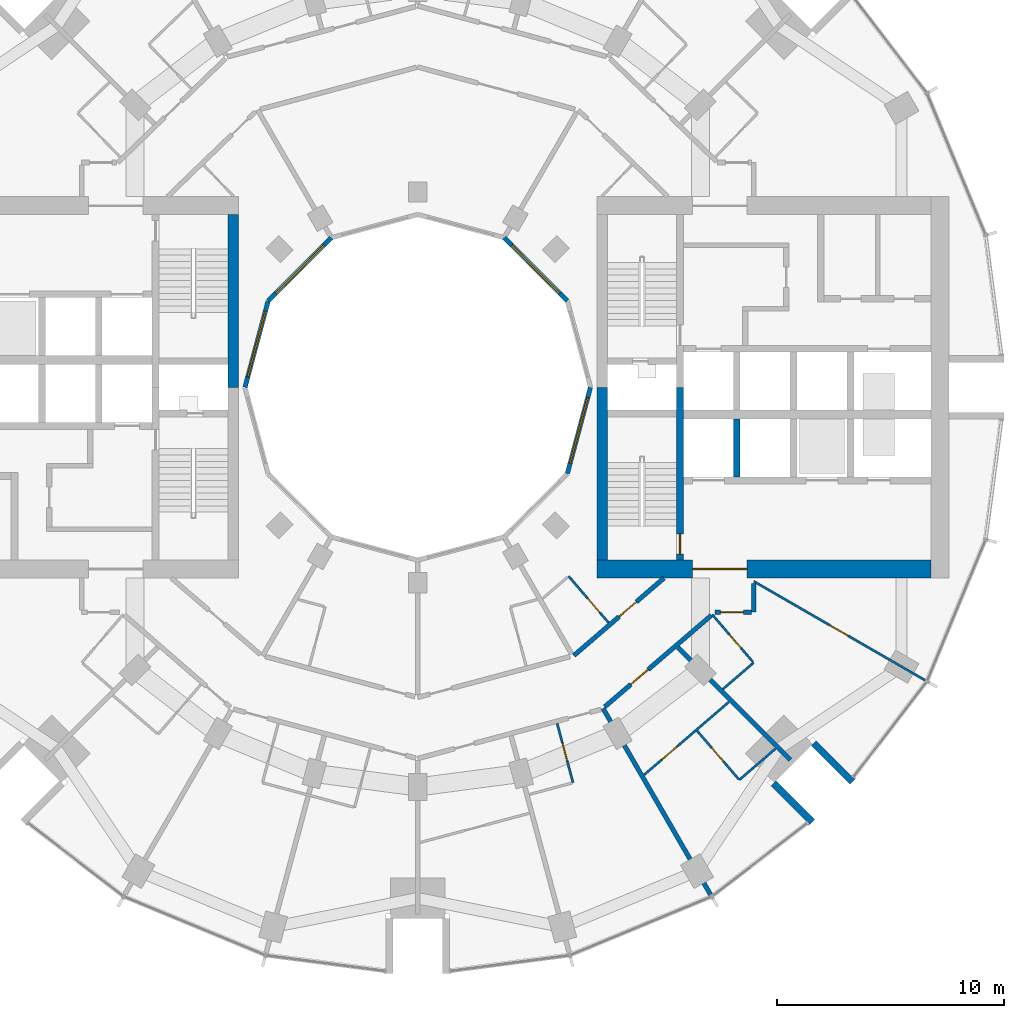
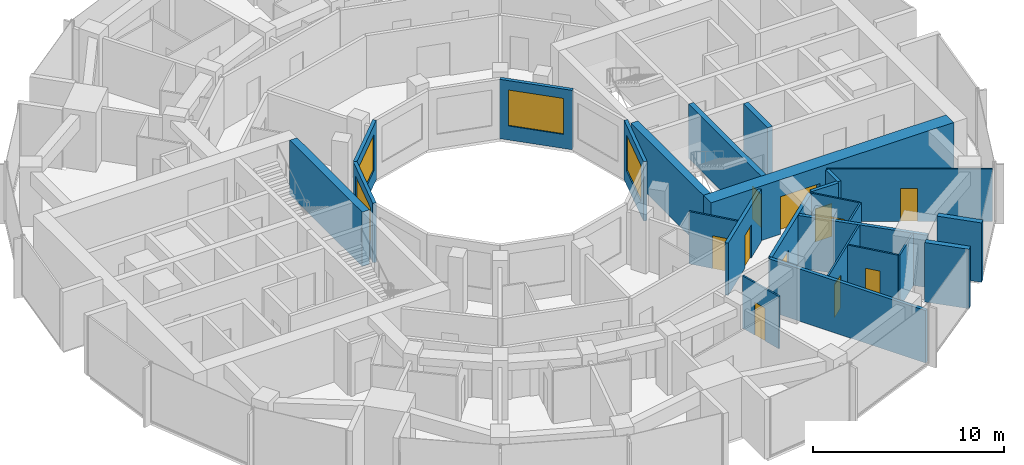
# One storey, part 10 of 15: 25 walls, 11 doors, 4 windows, 15 openings.
"""IFC4 building model written with IfcOpenShell, lengths in metres."""

from ifc_helpers import new_model, si_unit, direction, frame, frame_2d, origin, place, context, subcontext, project, spatial, rectangle, extrude, material, layer, layer_set, type_object, element, fill, save


model = new_model("IFC4")

# Units and contexts
model_context = context("Model", 3, precision=1e-05, world=origin(), true_north=direction((0.0, 1.0)))
body_context = subcontext(model_context, "Body", "Model", "MODEL_VIEW")
ifc_project = project(units=[si_unit("LENGTHUNIT", "METRE"), si_unit("AREAUNIT", "SQUARE_METRE"), si_unit("VOLUMEUNIT", "CUBIC_METRE"), si_unit("PLANEANGLEUNIT", "RADIAN"), si_unit("MASSUNIT", "GRAM", prefix="KILO")], contexts=[model_context])

# Site, building, storey
site_placement = place(None, origin())
site = spatial("IfcSite", under=ifc_project, at=site_placement, CompositionType="ELEMENT")
building_placement = place(site_placement, origin())
building = spatial("IfcBuilding", under=site, at=building_placement, Name="Torre Brocal", CompositionType="ELEMENT")
storey_placement = place(building_placement, frame((0.0, 0.0, 40.199951171875)))
storey = spatial("IfcBuildingStorey", under=building, at=storey_placement, Name="L08", CompositionType="ELEMENT", Elevation=40.199951171875)

# Wall, opening, door
ifc_material_1 = material(Name="Concrete C80", Category="concrete")
ifc_layer_1 = layer(ifc_material_1, 0.300048828125)
ifc_layer_set_1 = layer_set([ifc_layer_1], Name="Concrete C80")
wall_type_1 = type_object("IfcWallType", Name="CORE WALL 300 C80", PredefinedType="SHEAR", material=ifc_layer_set_1)
wall_1_placement = place(storey_placement, frame((91.550048828125, 67.39990234375, 0.0), z_axis=(0.0, 0.0, 1.0), x_axis=(0.0, 1.0, 0.0)))
wall_1 = element("IfcWall", 1, at=wall_1_placement, inside=storey, type_object=wall_type_1, Name="Wall CW300-80", PredefinedType="SHEAR", context=body_context, shape_type="SweptSolid", body=[
    extrude(rectangle(XDim=7.60009765625, YDim=0.300048828125, at=frame_2d((3.800048828125, 0.0))), origin(), (0.0, 0.0, 1.0), 3.47998046875),
])
opening_1_placement = place(wall_1_placement, frame((0.25, 0.0, 0.0)))
opening_1 = element("IfcOpeningElement", 2, at=opening_1_placement, cuts=wall_1, Name="Opening E-D03", PredefinedType="OPENING", context=body_context, shape_type="SweptSolid", body=[
    extrude(rectangle(XDim=0.89990234375, YDim=2.10009765625, at=frame_2d((0.449951171875, 1.050048828125))), frame((0.0, 0.159912109375, 0.0), z_axis=(0.0, -1.0, 0.0), x_axis=(1.0, 0.0, 0.0)), (0.0, 0.0, 1.0), 0.320068359375),
])
ifc_material_2 = material(Name="Steel A653", Category="steel")
door_type_1 = type_object("IfcDoorType", Name="STAIR DOOR FD120 900X2100", OperationType="SINGLE_SWING_RIGHT", PredefinedType="DOOR", material=ifc_material_2)
door_1_placement = place(opening_1_placement, origin())
door_1 = element("IfcDoor", 3, at=door_1_placement, inside=storey, type_object=door_type_1, Name="Door E-D03", OperationType="SINGLE_SWING_LEFT", OverallHeight=2.10009765625, OverallWidth=0.89990234375, PredefinedType="DOOR", context=body_context, shape_type="SweptSolid", body=[
    extrude(rectangle(XDim=0.89990234375, YDim=2.10009765625, at=frame_2d((0.449951171875, 1.050048828125))), frame((0.0, 0.02490234375, 0.0), z_axis=(0.0, -1.0, 0.0), x_axis=(1.0, 0.0, 0.0)), (0.0, 0.0, 1.0), 0.050048828125),
])
fill(opening_1, door_1)

# Walls
wall_2_placement = place(storey_placement, frame((94.050048828125, 71.050048828125, 0.0), z_axis=(0.0, 0.0, 1.0), x_axis=(0.0, 1.0, 0.0)))
element("IfcWall", 4, at=wall_2_placement, inside=storey, type_object=wall_type_1, Name="Wall CW300-80", PredefinedType="SHEAR", context=body_context, shape_type="SweptSolid", body=[
    extrude(rectangle(XDim=2.550048828125, YDim=0.300048828125, at=frame_2d((1.27490234375, 0.0))), origin(), (0.0, 0.0, 1.0), 3.47998046875),
])
ifc_material_3 = material(Name="Concrete C80", Category="concrete")
ifc_layer_2 = layer(ifc_material_3, 0.449951171875)
ifc_layer_set_2 = layer_set([ifc_layer_2], Name="Concrete C80")
wall_type_2 = type_object("IfcWallType", Name="CORE WALL 450 C80", PredefinedType="SHEAR", material=ifc_layer_set_2)
for number, where, z_axis, x_axis, name in (
    (5, (88.125, 67.39990234375, 0.0), (0.0, 0.0, 1.0), (0.0, 1.0, 0.0), "Wall CW450-80"),
    (6, (71.875, 82.60009765625, 0.0), (0.0, 0.0, 1.0), (0.0, -1.0, 0.0), "Wall CW450-80"),
):
    element("IfcWall", number, at=place(storey_placement, frame(where, z_axis=z_axis, x_axis=x_axis)), inside=storey, type_object=wall_type_2, Name=name, PredefinedType="SHEAR", context=body_context, shape_type="SweptSolid", body=[
        extrude(rectangle(XDim=7.60009765625, YDim=0.449951171875, at=frame_2d((3.800048828125, 0.0))), origin(), (0.0, 0.0, 1.0), 3.47998046875),
    ])

# Wall, opening, door
ifc_material_4 = material(Name="Concrete C80", Category="concrete")
ifc_layer_3 = layer(ifc_material_4, 0.800048828125)
ifc_layer_set_3 = layer_set([ifc_layer_3], Name="Concrete C80")
wall_type_3 = type_object("IfcWallType", Name="CORE WALL 800 C80", PredefinedType="SHEAR", material=ifc_layer_set_3)
wall_3_placement = place(storey_placement, frame((87.89990234375, 67.0, 0.0), z_axis=(0.0, 0.0, 1.0), x_axis=(1.0, 0.0, 0.0)))
wall_3 = element("IfcWall", 7, at=wall_3_placement, inside=storey, type_object=wall_type_3, Name="Wall CW800-80", PredefinedType="SHEAR", context=body_context, shape_type="SweptSolid", body=[
    extrude(rectangle(XDim=14.7001953125, YDim=0.800048828125, at=frame_2d((7.35009765625, 0.0))), origin(), (0.0, 0.0, 1.0), 3.47998046875),
])
opening_2_placement = place(wall_3_placement, frame((4.199951171875, 0.0, 0.0)))
opening_2 = element("IfcOpeningElement", 8, at=opening_2_placement, cuts=wall_3, Name="Opening E-D27", PredefinedType="OPENING", context=body_context, shape_type="SweptSolid", body=[
    extrude(rectangle(XDim=2.39990234375, YDim=2.39990234375, at=frame_2d((1.199951171875, 1.199951171875))), frame((0.0, 0.409912109375, 0.0), z_axis=(0.0, -1.0, 0.0), x_axis=(1.0, 0.0, 0.0)), (0.0, 0.0, 1.0), 0.820068359375),
])
ifc_material_5 = material(Name="Steel A653", Category="steel")
door_type_2 = type_object("IfcDoorType", Name="DOUBLE FIRE DOOR FD90 2400X2400", OperationType="DOUBLE_DOOR_SINGLE_SWING", PredefinedType="DOOR", material=ifc_material_5)
door_2_placement = place(opening_2_placement, origin())
door_2 = element("IfcDoor", 9, at=door_2_placement, inside=storey, type_object=door_type_2, Name="Door E-D27", OperationType="DOUBLE_DOOR_SINGLE_SWING", OverallHeight=2.39990234375, OverallWidth=2.39990234375, PredefinedType="DOOR", context=body_context, shape_type="SweptSolid", body=[
    extrude(rectangle(XDim=2.39990234375, YDim=2.39990234375, at=frame_2d((1.199951171875, 1.199951171875))), frame((0.0, 0.02490234375, 0.0), z_axis=(0.0, -1.0, 0.0), x_axis=(1.0, 0.0, 0.0)), (0.0, 0.0, 1.0), 0.050048828125),
])
fill(opening_2, door_2)

# Walls
ifc_material_6 = material(Name="Concrete C80", Category="concrete")
ifc_layer_4 = layer(ifc_material_6, 0.300048828125)
ifc_layer_set_4 = layer_set([ifc_layer_4], Name="Concrete C80")
wall_type_4 = type_object("IfcWallType", Name="NOTCH RETURN WALL 300 C80", PredefinedType="NOTDEFINED", material=ifc_layer_set_4)
for number, where, z_axis, x_axis, name in (
    (10, (95.662353515625, 57.56982421875, 0.0), (0.0, 0.0, 1.0), (0.707106781187, -0.707106781187, 0.0), "NOTCH RETURN WALL"),
    (11, (97.43017578125, 59.337646484375, 0.0), (0.0, 0.0, 1.0), (0.707106781187, -0.707106781187, 0.0), "NOTCH RETURN WALL"),
):
    element("IfcWall", number, at=place(storey_placement, frame(where, z_axis=z_axis, x_axis=x_axis)), inside=storey, type_object=wall_type_4, Name=name, PredefinedType="NOTDEFINED", context=body_context, shape_type="SweptSolid", body=[
        extrude(rectangle(XDim=2.415771484375, YDim=0.300048828125, at=frame_2d((1.2080078125, 0.0))), origin(), (0.0, 0.0, 1.0), 3.800048828125),
    ])

# Wall, opening, door
ifc_material_7 = material(Name="Gypsum board", Category="Gypsum")
ifc_layer_5 = layer(ifc_material_7, 0.10009765625)
ifc_layer_set_5 = layer_set([ifc_layer_5], Name="Gypsum board")
wall_type_5 = type_object("IfcWallType", Name="PARTITION 100", PredefinedType="PARTITIONING", material=ifc_layer_set_5)
wall_4_placement = place(storey_placement, frame((86.139892578125, 60.196044921875, 0.0), z_axis=(0.0, 0.0, 1.0), x_axis=(0.258945475746, -0.965891940432, 0.0)))
wall_4 = element("IfcWall", 12, at=wall_4_placement, inside=storey, type_object=wall_type_5, Name="BATHROOM WALL", PredefinedType="PARTITIONING", context=body_context, shape_type="SweptSolid", body=[
    extrude(rectangle(XDim=2.7001953125, YDim=0.10009765625, at=frame_2d((1.35009765625, 0.0))), origin(), (0.0, 0.0, 1.0), 3.35009765625),
])
opening_3_placement = place(wall_4_placement, frame((0.89990234375, 0.0, 0.0)))
opening_3 = element("IfcOpeningElement", 13, at=opening_3_placement, cuts=wall_4, Name="Opening H02-D30", PredefinedType="OPENING", context=body_context, shape_type="SweptSolid", body=[
    extrude(rectangle(XDim=0.800048828125, YDim=2.10009765625, at=frame_2d((0.39990234375, 1.050048828125))), frame((0.0, 0.06005859375, 0.0), z_axis=(0.0, -1.0, 0.0), x_axis=(1.0, 0.0, 0.0)), (0.0, 0.0, 1.0), 0.1201171875),
])
ifc_material_8 = material(Name="Timber", Category="wood")
door_type_3 = type_object("IfcDoorType", Name="BATHROOM DOOR 800X2100", OperationType="SINGLE_SWING_LEFT", PredefinedType="DOOR", material=ifc_material_8)
door_3_placement = place(opening_3_placement, frame((0.800048828125, 0.0, 0.0), z_axis=(0.0, 0.0, 1.0), x_axis=(-1.0, 0.0, 0.0)))
door_3 = element("IfcDoor", 14, at=door_3_placement, inside=storey, type_object=door_type_3, Name="H02-D30", OperationType="SINGLE_SWING_RIGHT", OverallHeight=2.10009765625, OverallWidth=0.800048828125, PredefinedType="DOOR", context=body_context, shape_type="SweptSolid", body=[
    extrude(rectangle(XDim=0.800048828125, YDim=2.10009765625, at=frame_2d((0.39990234375, 1.050048828125))), frame((0.0, 0.02490234375, 0.0), z_axis=(0.0, -1.0, 0.0), x_axis=(1.0, 0.0, 0.0)), (0.0, 0.0, 1.0), 0.050048828125),
])
fill(opening_3, door_3)

wall_5_placement = place(storey_placement, frame((86.64306640625, 66.680908203125, 0.0), z_axis=(0.0, 0.0, 1.0), x_axis=(0.652264876065, -0.757991115682, 0.0)))
wall_5 = element("IfcWall", 15, at=wall_5_placement, inside=storey, type_object=wall_type_5, Name="BATHROOM WALL", PredefinedType="PARTITIONING", context=body_context, shape_type="SweptSolid", body=[
    extrude(rectangle(XDim=2.699462890625, YDim=0.10009765625, at=frame_2d((1.349609375, 0.0))), origin(), (0.0, 0.0, 1.0), 3.35009765625),
])
opening_4_placement = place(wall_5_placement, frame((1.2998046875, 0.0, 0.0)))
opening_4 = element("IfcOpeningElement", 16, at=opening_4_placement, cuts=wall_5, Name="Opening H02-D42", PredefinedType="OPENING", context=body_context, shape_type="SweptSolid", body=[
    extrude(rectangle(XDim=0.800048828125, YDim=2.10009765625, at=frame_2d((0.39990234375, 1.050048828125))), frame((0.0, 0.06005859375, 0.0), z_axis=(0.0, -1.0, 0.0), x_axis=(1.0, 0.0, 0.0)), (0.0, 0.0, 1.0), 0.1201171875),
])
door_4_placement = place(opening_4_placement, frame((0.800048828125, 0.0, 0.0), z_axis=(0.0, 0.0, 1.0), x_axis=(-1.0, 0.0, 0.0)))
door_4 = element("IfcDoor", 17, at=door_4_placement, inside=storey, type_object=door_type_3, Name="H02-D42", OperationType="SINGLE_SWING_LEFT", OverallHeight=2.10009765625, OverallWidth=0.800048828125, PredefinedType="DOOR", context=body_context, shape_type="SweptSolid", body=[
    extrude(rectangle(XDim=0.800048828125, YDim=2.10009765625, at=frame_2d((0.39990234375, 1.050048828125))), frame((0.0, 0.02490234375, 0.0), z_axis=(0.0, -1.0, 0.0), x_axis=(1.0, 0.0, 0.0)), (0.0, 0.0, 1.0), 0.050048828125),
])
fill(opening_4, door_4)

wall_6_placement = place(storey_placement, frame((89.974365234375, 57.939697265625, 0.0), z_axis=(0.0, 0.0, 1.0), x_axis=(0.75821417454, 0.652005571699, 0.0)))
wall_6 = element("IfcWall", 18, at=wall_6_placement, inside=storey, type_object=wall_type_5, Name="BATHROOM WALL", PredefinedType="PARTITIONING", context=body_context, shape_type="SweptSolid", body=[
    extrude(rectangle(XDim=4.91455078125, YDim=0.10009765625, at=frame_2d((2.457275390625, 0.0))), origin(), (0.0, 0.0, 1.0), 3.35009765625),
])
opening_5_placement = place(wall_6_placement, frame((1.017333984375, 0.0, 0.0)))
opening_5 = element("IfcOpeningElement", 19, at=opening_5_placement, cuts=wall_6, Name="Opening H02-D27", PredefinedType="OPENING", context=body_context, shape_type="SweptSolid", body=[
    extrude(rectangle(XDim=0.89990234375, YDim=2.10009765625, at=frame_2d((0.449951171875, 1.050048828125))), frame((0.0, 0.06005859375, 0.0), z_axis=(0.0, -1.0, 0.0), x_axis=(1.0, 0.0, 0.0)), (0.0, 0.0, 1.0), 0.1201171875),
])
ifc_material_9 = material(Name="Timber", Category="wood")
door_type_4 = type_object("IfcDoorType", Name="ROOM DOOR 900X2100", OperationType="SINGLE_SWING_LEFT", PredefinedType="DOOR", material=ifc_material_9)
door_5_placement = place(opening_5_placement, origin())
door_5 = element("IfcDoor", 20, at=door_5_placement, inside=storey, type_object=door_type_4, Name="H02-D27", OperationType="SINGLE_SWING_LEFT", OverallHeight=2.10009765625, OverallWidth=0.89990234375, PredefinedType="DOOR", context=body_context, shape_type="SweptSolid", body=[
    extrude(rectangle(XDim=0.89990234375, YDim=2.10009765625, at=frame_2d((0.449951171875, 1.050048828125))), frame((0.0, 0.02490234375, 0.0), z_axis=(0.0, -1.0, 0.0), x_axis=(1.0, 0.0, 0.0)), (0.0, 0.0, 1.0), 0.050048828125),
])
fill(opening_5, door_5)

wall_7_placement = place(storey_placement, frame((92.300537109375, 59.8740234375, 0.0), z_axis=(0.0, 0.0, 1.0), x_axis=(0.652061320562, -0.758166231262, 0.0)))
wall_7 = element("IfcWall", 21, at=wall_7_placement, inside=storey, type_object=wall_type_5, Name="BATHROOM WALL", PredefinedType="PARTITIONING", context=body_context, shape_type="SweptSolid", body=[
    extrude(rectangle(XDim=2.80029296875, YDim=0.10009765625, at=frame_2d((1.400146484375, 0.0))), origin(), (0.0, 0.0, 1.0), 3.35009765625),
])
opening_6_placement = place(wall_7_placement, frame((1.0, 0.0, 0.0)))
opening_6 = element("IfcOpeningElement", 22, at=opening_6_placement, cuts=wall_7, Name="Opening H02-D28", PredefinedType="OPENING", context=body_context, shape_type="SweptSolid", body=[
    extrude(rectangle(XDim=0.800048828125, YDim=2.10009765625, at=frame_2d((0.39990234375, 1.050048828125))), frame((0.0, 0.06005859375, 0.0), z_axis=(0.0, -1.0, 0.0), x_axis=(1.0, 0.0, 0.0)), (0.0, 0.0, 1.0), 0.1201171875),
])
door_6_placement = place(opening_6_placement, origin())
door_6 = element("IfcDoor", 23, at=door_6_placement, inside=storey, type_object=door_type_3, Name="H02-D28", OperationType="SINGLE_SWING_LEFT", OverallHeight=2.10009765625, OverallWidth=0.800048828125, PredefinedType="DOOR", context=body_context, shape_type="SweptSolid", body=[
    extrude(rectangle(XDim=0.800048828125, YDim=2.10009765625, at=frame_2d((0.39990234375, 1.050048828125))), frame((0.0, 0.02490234375, 0.0), z_axis=(0.0, -1.0, 0.0), x_axis=(1.0, 0.0, 0.0)), (0.0, 0.0, 1.0), 0.050048828125),
])
fill(opening_6, door_6)

wall_8_placement = place(storey_placement, frame((92.965087890625, 64.996826171875, 0.0), z_axis=(0.0, 0.0, 1.0), x_axis=(0.652069888227, -0.758158862553, 0.0)))
wall_8 = element("IfcWall", 24, at=wall_8_placement, inside=storey, type_object=wall_type_5, Name="BATHROOM WALL", PredefinedType="PARTITIONING", context=body_context, shape_type="SweptSolid", body=[
    extrude(rectangle(XDim=2.75, YDim=0.10009765625, at=frame_2d((1.375, 0.0))), origin(), (0.0, 0.0, 1.0), 3.35009765625),
])
opening_7_placement = place(wall_8_placement, frame((1.14990234375, 0.0, 0.0)))
opening_7 = element("IfcOpeningElement", 25, at=opening_7_placement, cuts=wall_8, Name="Opening H02-D24", PredefinedType="OPENING", context=body_context, shape_type="SweptSolid", body=[
    extrude(rectangle(XDim=0.800048828125, YDim=2.10009765625, at=frame_2d((0.39990234375, 1.050048828125))), frame((0.0, 0.06005859375, 0.0), z_axis=(0.0, -1.0, 0.0), x_axis=(1.0, 0.0, 0.0)), (0.0, 0.0, 1.0), 0.1201171875),
])
door_7_placement = place(opening_7_placement, frame((0.800048828125, 0.0, 0.0), z_axis=(0.0, 0.0, 1.0), x_axis=(-1.0, 0.0, 0.0)))
door_7 = element("IfcDoor", 26, at=door_7_placement, inside=storey, type_object=door_type_3, Name="H02-D24", OperationType="SINGLE_SWING_LEFT", OverallHeight=2.10009765625, OverallWidth=0.800048828125, PredefinedType="DOOR", context=body_context, shape_type="SweptSolid", body=[
    extrude(rectangle(XDim=0.800048828125, YDim=2.10009765625, at=frame_2d((0.39990234375, 1.050048828125))), frame((0.0, 0.02490234375, 0.0), z_axis=(0.0, -1.0, 0.0), x_axis=(1.0, 0.0, 0.0)), (0.0, 0.0, 1.0), 0.050048828125),
])
fill(opening_7, door_7)

# Walls
wall_9_placement = place(storey_placement, frame((93.434814453125, 61.707275390625, 0.0), z_axis=(0.0, 0.0, 1.0), x_axis=(0.758070495124, 0.652172618578, 0.0)))
element("IfcWall", 27, at=wall_9_placement, inside=storey, type_object=wall_type_5, Name="BATHROOM WALL", PredefinedType="PARTITIONING", context=body_context, shape_type="SweptSolid", body=[
    extrude(rectangle(XDim=1.7890625, YDim=0.10009765625, at=frame_2d((0.89453125, 0.0))), origin(), (0.0, 0.0, 1.0), 3.35009765625),
])
wall_10_placement = place(storey_placement, frame((94.158935546875, 57.712890625, 0.0), z_axis=(0.0, 0.0, 1.0), x_axis=(0.75802950812, 0.652220257903, 0.0)))
element("IfcWall", 28, at=wall_10_placement, inside=storey, type_object=wall_type_5, Name="BATHROOM WALL", PredefinedType="PARTITIONING", context=body_context, shape_type="SweptSolid", body=[
    extrude(rectangle(XDim=2.10888671875, YDim=0.10009765625, at=frame_2d((1.054443359375, 0.0))), origin(), (0.0, 0.0, 1.0), 3.35009765625),
])

# Wall, opening, door
wall_11_placement = place(storey_placement, frame((94.800048828125, 66.455078125, 0.0), z_axis=(0.0, 0.0, 1.0), x_axis=(0.86602264145, -0.500004784474, 0.0)))
wall_11 = element("IfcWall", 29, at=wall_11_placement, inside=storey, type_object=wall_type_5, Name="ROOM PARTITION", PredefinedType="PARTITIONING", context=body_context, shape_type="SweptSolid", body=[
    extrude(rectangle(XDim=8.7080078125, YDim=0.10009765625, at=frame_2d((4.35400390625, 0.0))), origin(), (0.0, 0.0, 1.0), 3.35009765625),
])
opening_8_placement = place(wall_11_placement, frame((3.87890625, 0.0, 0.0)))
opening_8 = element("IfcOpeningElement", 30, at=opening_8_placement, cuts=wall_11, Name="Opening H02-D25", PredefinedType="OPENING", context=body_context, shape_type="SweptSolid", body=[
    extrude(rectangle(XDim=0.89990234375, YDim=2.10009765625, at=frame_2d((0.449951171875, 1.050048828125))), frame((0.0, 0.06005859375, 0.0), z_axis=(0.0, -1.0, 0.0), x_axis=(1.0, 0.0, 0.0)), (0.0, 0.0, 1.0), 0.1201171875),
])
door_8_placement = place(opening_8_placement, origin())
door_8 = element("IfcDoor", 31, at=door_8_placement, inside=storey, type_object=door_type_4, Name="H02-D25", OperationType="SINGLE_SWING_LEFT", OverallHeight=2.10009765625, OverallWidth=0.89990234375, PredefinedType="DOOR", context=body_context, shape_type="SweptSolid", body=[
    extrude(rectangle(XDim=0.89990234375, YDim=2.10009765625, at=frame_2d((0.449951171875, 1.050048828125))), frame((0.0, 0.02490234375, 0.0), z_axis=(0.0, -1.0, 0.0), x_axis=(1.0, 0.0, 0.0)), (0.0, 0.0, 1.0), 0.050048828125),
])
fill(opening_8, door_8)

ifc_material_10 = material(Name="Gypsum board", Category="Gypsum")
ifc_layer_6 = layer(ifc_material_10, 0.199951171875)
ifc_layer_set_6 = layer_set([ifc_layer_6], Name="Gypsum board")
wall_type_6 = type_object("IfcWallType", Name="PARTITION 200 EI60", PredefinedType="PARTITIONING", material=ifc_layer_set_6)
wall_12_placement = place(storey_placement, frame((86.876953125, 63.189208984375, 0.0), z_axis=(0.0, 0.0, 1.0), x_axis=(0.758164888471, 0.652062881853, 0.0)))
wall_12 = element("IfcWall", 32, at=wall_12_placement, inside=storey, type_object=wall_type_6, Name="GUESTROOM CORRIDOR WALL", PredefinedType="PARTITIONING", context=body_context, shape_type="SweptSolid", body=[
    extrude(rectangle(XDim=5.230224609375, YDim=0.199951171875, at=frame_2d((2.615234375, 0.0))), origin(), (0.0, 0.0, 1.0), 3.35009765625),
])
opening_9_placement = place(wall_12_placement, frame((2.63037109375, 0.0, 0.0)))
opening_9 = element("IfcOpeningElement", 33, at=opening_9_placement, cuts=wall_12, Name="Opening H02-D41", PredefinedType="OPENING", context=body_context, shape_type="SweptSolid", body=[
    extrude(rectangle(XDim=1.0, YDim=2.10009765625, at=frame_2d((0.5, 1.050048828125))), frame((0.0, 0.10986328125, 0.0), z_axis=(0.0, -1.0, 0.0), x_axis=(1.0, 0.0, 0.0)), (0.0, 0.0, 1.0), 0.219970703125),
])
ifc_material_11 = material(Name="Timber", Category="wood")
door_type_5 = type_object("IfcDoorType", Name="FLAT ENTRY DOOR FD30S 1000X2100", OperationType="SINGLE_SWING_RIGHT", PredefinedType="DOOR", material=ifc_material_11)
door_9_placement = place(opening_9_placement, origin())
door_9 = element("IfcDoor", 34, at=door_9_placement, inside=storey, type_object=door_type_5, Name="H02-D41", OperationType="SINGLE_SWING_LEFT", OverallHeight=2.10009765625, OverallWidth=1.0, PredefinedType="DOOR", context=body_context, shape_type="SweptSolid", body=[
    extrude(rectangle(XDim=1.0, YDim=2.10009765625, at=frame_2d((0.5, 1.050048828125))), frame((0.0, 0.02490234375, 0.0), z_axis=(0.0, -1.0, 0.0), x_axis=(1.0, 0.0, 0.0)), (0.0, 0.0, 1.0), 0.050048828125),
])
fill(opening_9, door_9)

wall_13_placement = place(storey_placement, frame((88.234619140625, 60.931396484375, 0.0), z_axis=(0.0, 0.0, 1.0), x_axis=(0.758799498714, 0.651324282329, 0.0)))
wall_13 = element("IfcWall", 35, at=wall_13_placement, inside=storey, type_object=wall_type_6, Name="FLAT ENTRANCE WALL", PredefinedType="PARTITIONING", context=body_context, shape_type="SweptSolid", body=[
    extrude(rectangle(XDim=6.185546875, YDim=0.199951171875, at=frame_2d((3.0927734375, 0.0))), origin(), (0.0, 0.0, 1.0), 3.35009765625),
])
opening_10_placement = place(wall_13_placement, frame((1.518798828125, 0.0, 0.0)))
opening_10 = element("IfcOpeningElement", 36, at=opening_10_placement, cuts=wall_13, Name="Opening H02-D26", PredefinedType="OPENING", context=body_context, shape_type="SweptSolid", body=[
    extrude(rectangle(XDim=1.0, YDim=2.10009765625, at=frame_2d((0.5, 1.050048828125))), frame((0.0, 0.10986328125, 0.0), z_axis=(0.0, -1.0, 0.0), x_axis=(1.0, 0.0, 0.0)), (0.0, 0.0, 1.0), 0.219970703125),
])
door_10_placement = place(opening_10_placement, frame((1.0, 0.0, 0.0), z_axis=(0.0, 0.0, 1.0), x_axis=(-1.0, 0.0, 0.0)))
door_10 = element("IfcDoor", 37, at=door_10_placement, inside=storey, type_object=door_type_5, Name="H02-D26", OperationType="SINGLE_SWING_LEFT", OverallHeight=2.10009765625, OverallWidth=1.0, PredefinedType="DOOR", context=body_context, shape_type="SweptSolid", body=[
    extrude(rectangle(XDim=1.0, YDim=2.10009765625, at=frame_2d((0.5, 1.050048828125))), frame((0.0, 0.02490234375, 0.0), z_axis=(0.0, -1.0, 0.0), x_axis=(1.0, 0.0, 0.0)), (0.0, 0.0, 1.0), 0.050048828125),
])
fill(opening_10, door_10)

# Walls
wall_14_placement = place(storey_placement, frame((88.159423828125, 60.86279296875, 0.0), z_axis=(0.0, 0.0, 1.0), x_axis=(0.499897184548, -0.866084756177, 0.0)))
element("IfcWall", 38, at=wall_14_placement, inside=storey, type_object=wall_type_6, Name="PARTY PARTITION", PredefinedType="PARTITIONING", context=body_context, shape_type="SweptSolid", body=[
    extrude(rectangle(XDim=9.474609375, YDim=0.199951171875, at=frame_2d((4.7373046875, 0.0))), origin(), (0.0, 0.0, 1.0), 3.35009765625),
])
wall_15_placement = place(storey_placement, frame((91.44921875, 63.5478515625, 0.0), z_axis=(0.0, 0.0, 1.0), x_axis=(0.706984810649, -0.707228730688, 0.0)))
element("IfcWall", 39, at=wall_15_placement, inside=storey, type_object=wall_type_6, Name="BATHROOM WALL", PredefinedType="PARTITIONING", context=body_context, shape_type="SweptSolid", body=[
    extrude(rectangle(XDim=7.00634765625, YDim=0.199951171875, at=frame_2d((3.503173828125, 0.0))), origin(), (0.0, 0.0, 1.0), 3.35009765625),
])

# Wall, opening, door
wall_16_placement = place(storey_placement, frame((93.0849609375, 65.10009765625, 0.0), z_axis=(0.0, 0.0, 1.0), x_axis=(1.0, 0.0, 0.0)))
wall_16 = element("IfcWall", 40, at=wall_16_placement, inside=storey, type_object=wall_type_6, Name="GUESTROOM CORRIDOR WALL", PredefinedType="PARTITIONING", context=body_context, shape_type="SweptSolid", body=[
    extrude(rectangle(XDim=1.614990234375, YDim=0.199951171875, at=frame_2d((0.8076171875, 0.0))), origin(), (0.0, 0.0, 1.0), 3.35009765625),
])
opening_11_placement = place(wall_16_placement, frame((0.25, 0.0, 0.0)))
opening_11 = element("IfcOpeningElement", 41, at=opening_11_placement, cuts=wall_16, Name="Opening H02-D23", PredefinedType="OPENING", context=body_context, shape_type="SweptSolid", body=[
    extrude(rectangle(XDim=1.0, YDim=2.10009765625, at=frame_2d((0.5, 1.050048828125))), frame((0.0, 0.10986328125, 0.0), z_axis=(0.0, -1.0, 0.0), x_axis=(1.0, 0.0, 0.0)), (0.0, 0.0, 1.0), 0.219970703125),
])
door_11_placement = place(opening_11_placement, frame((1.0, 0.0, 0.0), z_axis=(0.0, 0.0, 1.0), x_axis=(-1.0, 0.0, 0.0)))
door_11 = element("IfcDoor", 42, at=door_11_placement, inside=storey, type_object=door_type_5, Name="H02-D23", OperationType="SINGLE_SWING_LEFT", OverallHeight=2.10009765625, OverallWidth=1.0, PredefinedType="DOOR", context=body_context, shape_type="SweptSolid", body=[
    extrude(rectangle(XDim=1.0, YDim=2.10009765625, at=frame_2d((0.5, 1.050048828125))), frame((0.0, 0.02490234375, 0.0), z_axis=(0.0, -1.0, 0.0), x_axis=(1.0, 0.0, 0.0)), (0.0, 0.0, 1.0), 0.050048828125),
])
fill(opening_11, door_11)

# Wall
wall_17_placement = place(storey_placement, frame((94.800048828125, 65.10009765625, 0.0), z_axis=(0.0, 0.0, 1.0), x_axis=(0.0, 1.0, 0.0)))
element("IfcWall", 43, at=wall_17_placement, inside=storey, type_object=wall_type_6, Name="GUESTROOM CORRIDOR WALL", PredefinedType="PARTITIONING", context=body_context, shape_type="SweptSolid", body=[
    extrude(rectangle(XDim=1.25, YDim=0.199951171875, at=frame_2d((0.625, 0.0))), origin(), (0.0, 0.0, 1.0), 3.35009765625),
])

# Wall, opening, window
ifc_material_12 = material(Name="Concrete C40", Category="concrete")
ifc_layer_7 = layer(ifc_material_12, 0.199951171875)
ifc_layer_set_7 = layer_set([ifc_layer_7], Name="Concrete C40")
wall_type_7 = type_object("IfcWallType", Name="WELL FACADE WALL 200", PredefinedType="NOTDEFINED", material=ifc_layer_set_7)
wall_18_placement = place(storey_placement, frame((86.5849609375, 78.8017578125, 0.0), z_axis=(0.0, 0.0, 1.0), x_axis=(-0.707106781187, 0.707106781187, 0.0)))
wall_18 = element("IfcWall", 44, at=wall_18_placement, inside=storey, type_object=wall_type_7, Name="WELL FACADE WALL", PredefinedType="NOTDEFINED", context=body_context, shape_type="SweptSolid", body=[
    extrude(rectangle(XDim=3.93603515625, YDim=0.199951171875, at=frame_2d((1.968017578125, 0.0))), origin(), (0.0, 0.0, 1.0), 3.800048828125),
])
opening_12_placement = place(wall_18_placement, frame((0.468017578125, 0.0, 0.89990234375)))
opening_12 = element("IfcOpeningElement", 45, at=opening_12_placement, cuts=wall_18, Name="Opening W1", PredefinedType="OPENING", context=body_context, shape_type="SweptSolid", body=[
    extrude(rectangle(XDim=3.0, YDim=2.300048828125, at=frame_2d((1.5, 1.14990234375))), frame((0.0, 0.10986328125, 0.0), z_axis=(0.0, -1.0, 0.0), x_axis=(1.0, 0.0, 0.0)), (0.0, 0.0, 1.0), 0.219970703125),
])
ifc_material_13 = material(Name="Aluminium and glass", Category="aluminium")
window_type = type_object("IfcWindowType", Name="WELL WINDOW 3000X2300", PartitioningType="SINGLE_PANEL", PredefinedType="WINDOW", material=ifc_material_13)
window_1_placement = place(opening_12_placement, origin())
window_1 = element("IfcWindow", 46, at=window_1_placement, inside=storey, type_object=window_type, Name="WELL WINDOW 3000X2300", OverallHeight=2.300048828125, OverallWidth=3.0, PartitioningType="SINGLE_PANEL", PredefinedType="WINDOW", context=body_context, shape_type="SweptSolid", body=[
    extrude(rectangle(XDim=3.0, YDim=2.300048828125, at=frame_2d((1.5, 1.14990234375))), frame((0.0, 0.030029296875, 0.0), z_axis=(0.0, -1.0, 0.0), x_axis=(1.0, 0.0, 0.0)), (0.0, 0.0, 1.0), 0.06005859375),
])
fill(opening_12, window_1)

wall_19_placement = place(storey_placement, frame((76.1982421875, 81.5849609375, 0.0), z_axis=(0.0, 0.0, 1.0), x_axis=(-0.707106781187, -0.707106781187, 0.0)))
wall_19 = element("IfcWall", 47, at=wall_19_placement, inside=storey, type_object=wall_type_7, Name="WELL FACADE WALL", PredefinedType="NOTDEFINED", context=body_context, shape_type="SweptSolid", body=[
    extrude(rectangle(XDim=3.93603515625, YDim=0.199951171875, at=frame_2d((1.968017578125, 0.0))), origin(), (0.0, 0.0, 1.0), 3.800048828125),
])
opening_13_placement = place(wall_19_placement, frame((0.468017578125, 0.0, 0.89990234375)))
opening_13 = element("IfcOpeningElement", 48, at=opening_13_placement, cuts=wall_19, Name="Opening W1", PredefinedType="OPENING", context=body_context, shape_type="SweptSolid", body=[
    extrude(rectangle(XDim=3.0, YDim=2.300048828125, at=frame_2d((1.5, 1.14990234375))), frame((0.0, 0.10986328125, 0.0), z_axis=(0.0, -1.0, 0.0), x_axis=(1.0, 0.0, 0.0)), (0.0, 0.0, 1.0), 0.219970703125),
])
window_2_placement = place(opening_13_placement, origin())
window_2 = element("IfcWindow", 49, at=window_2_placement, inside=storey, type_object=window_type, Name="WELL WINDOW 3000X2300", OverallHeight=2.300048828125, OverallWidth=3.0, PartitioningType="SINGLE_PANEL", PredefinedType="WINDOW", context=body_context, shape_type="SweptSolid", body=[
    extrude(rectangle(XDim=3.0, YDim=2.300048828125, at=frame_2d((1.5, 1.14990234375))), frame((0.0, 0.030029296875, 0.0), z_axis=(0.0, -1.0, 0.0), x_axis=(1.0, 0.0, 0.0)), (0.0, 0.0, 1.0), 0.06005859375),
])
fill(opening_13, window_2)

wall_20_placement = place(storey_placement, frame((73.4150390625, 78.8017578125, 0.0), z_axis=(0.0, 0.0, 1.0), x_axis=(-0.258789828301, -0.965933654434, 0.0)))
wall_20 = element("IfcWall", 50, at=wall_20_placement, inside=storey, type_object=wall_type_7, Name="WELL FACADE WALL", PredefinedType="NOTDEFINED", context=body_context, shape_type="SweptSolid", body=[
    extrude(rectangle(XDim=3.935791015625, YDim=0.199951171875, at=frame_2d((1.9677734375, 0.0))), origin(), (0.0, 0.0, 1.0), 3.800048828125),
])
opening_14_placement = place(wall_20_placement, frame((0.468017578125, 0.0, 0.89990234375)))
opening_14 = element("IfcOpeningElement", 51, at=opening_14_placement, cuts=wall_20, Name="Opening W1", PredefinedType="OPENING", context=body_context, shape_type="SweptSolid", body=[
    extrude(rectangle(XDim=3.0, YDim=2.300048828125, at=frame_2d((1.5, 1.14990234375))), frame((0.0, 0.10986328125, 0.0), z_axis=(0.0, -1.0, 0.0), x_axis=(1.0, 0.0, 0.0)), (0.0, 0.0, 1.0), 0.219970703125),
])
window_3_placement = place(opening_14_placement, origin())
window_3 = element("IfcWindow", 52, at=window_3_placement, inside=storey, type_object=window_type, Name="WELL WINDOW 3000X2300", OverallHeight=2.300048828125, OverallWidth=3.0, PartitioningType="SINGLE_PANEL", PredefinedType="WINDOW", context=body_context, shape_type="SweptSolid", body=[
    extrude(rectangle(XDim=3.0, YDim=2.300048828125, at=frame_2d((1.5, 1.14990234375))), frame((0.0, 0.030029296875, 0.0), z_axis=(0.0, -1.0, 0.0), x_axis=(1.0, 0.0, 0.0)), (0.0, 0.0, 1.0), 0.06005859375),
])
fill(opening_14, window_3)

wall_21_placement = place(storey_placement, frame((86.5849609375, 71.1982421875, 0.0), z_axis=(0.0, 0.0, 1.0), x_axis=(0.258789828301, 0.965933654434, 0.0)))
wall_21 = element("IfcWall", 53, at=wall_21_placement, inside=storey, type_object=wall_type_7, Name="WELL FACADE WALL", PredefinedType="NOTDEFINED", context=body_context, shape_type="SweptSolid", body=[
    extrude(rectangle(XDim=3.935791015625, YDim=0.199951171875, at=frame_2d((1.9677734375, 0.0))), origin(), (0.0, 0.0, 1.0), 3.800048828125),
])
opening_15_placement = place(wall_21_placement, frame((0.468017578125, 0.0, 0.89990234375)))
opening_15 = element("IfcOpeningElement", 54, at=opening_15_placement, cuts=wall_21, Name="Opening W1", PredefinedType="OPENING", context=body_context, shape_type="SweptSolid", body=[
    extrude(rectangle(XDim=3.0, YDim=2.300048828125, at=frame_2d((1.5, 1.14990234375))), frame((0.0, 0.10986328125, 0.0), z_axis=(0.0, -1.0, 0.0), x_axis=(1.0, 0.0, 0.0)), (0.0, 0.0, 1.0), 0.219970703125),
])
window_4_placement = place(opening_15_placement, origin())
window_4 = element("IfcWindow", 55, at=window_4_placement, inside=storey, type_object=window_type, Name="WELL WINDOW 3000X2300", OverallHeight=2.300048828125, OverallWidth=3.0, PartitioningType="SINGLE_PANEL", PredefinedType="WINDOW", context=body_context, shape_type="SweptSolid", body=[
    extrude(rectangle(XDim=3.0, YDim=2.300048828125, at=frame_2d((1.5, 1.14990234375))), frame((0.0, 0.030029296875, 0.0), z_axis=(0.0, -1.0, 0.0), x_axis=(1.0, 0.0, 0.0)), (0.0, 0.0, 1.0), 0.06005859375),
])
fill(opening_15, window_4)

save(model, "model.ifc")
